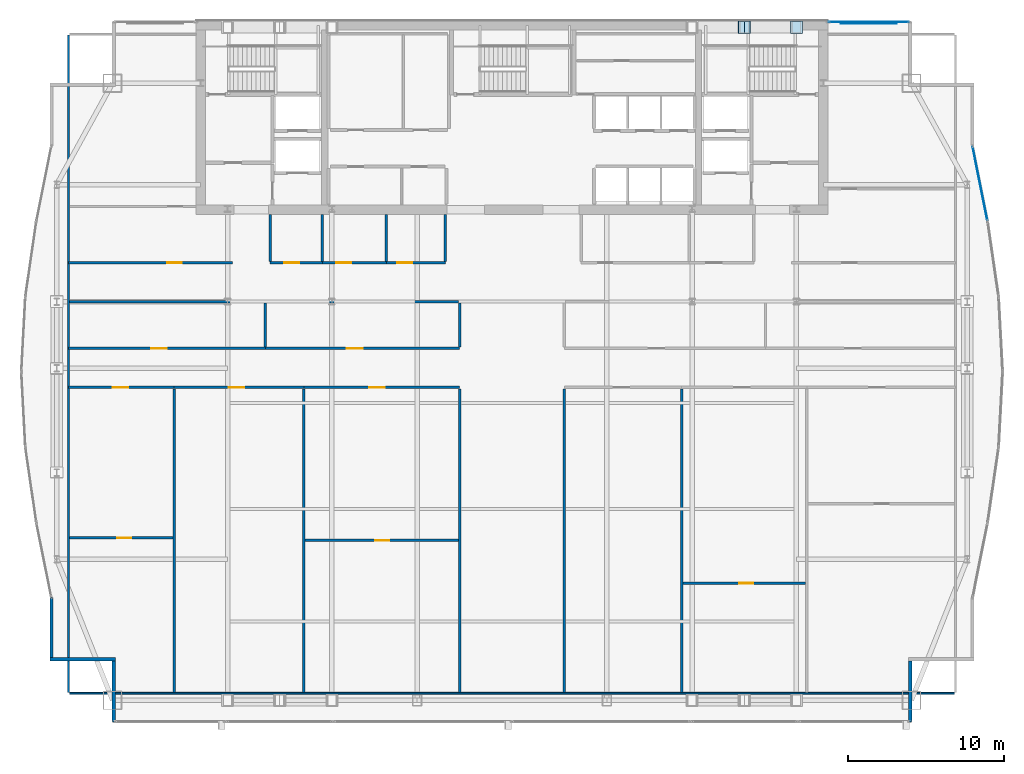
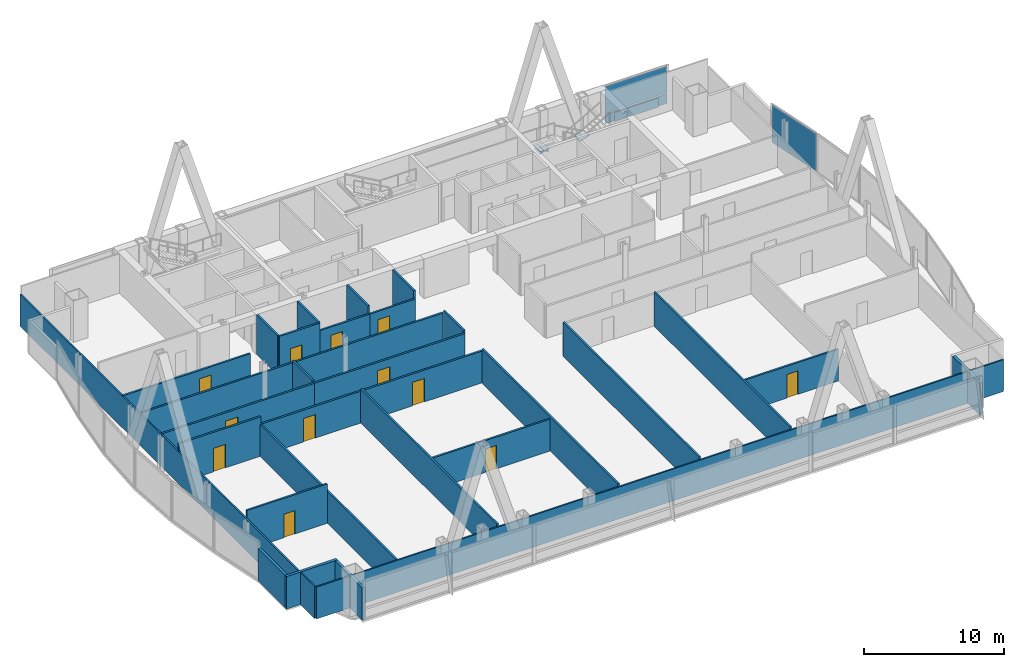
# One storey, part 27 of 32: 30 walls, 12 doors, 7 plates, 12 openings, 2 elements without a shape of their own.
"""IFC4 building model written with IfcOpenShell, lengths in metres."""

from ifc_helpers import new_model, si_unit, direction, frame, frame_2d, origin, origin_2d, place, context, subcontext, project, spatial, polyline, rectangle, outline, extrude, material, layer, layer_set, type_object, element, fill, aggregate, save


model = new_model("IFC4")

# Units and contexts
model_context = context("Model", 3, precision=1e-05, world=origin(), true_north=direction((0.0, 1.0)))
body_context = subcontext(model_context, "Body", "Model", "MODEL_VIEW")
ifc_project = project(units=[si_unit("LENGTHUNIT", "METRE"), si_unit("AREAUNIT", "SQUARE_METRE"), si_unit("VOLUMEUNIT", "CUBIC_METRE"), si_unit("PLANEANGLEUNIT", "RADIAN"), si_unit("MASSUNIT", "GRAM", prefix="KILO")], contexts=[model_context])

# Site, building, storey
site_placement = place(None, origin())
site = spatial("IfcSite", under=ifc_project, at=site_placement, CompositionType="ELEMENT")
building_placement = place(site_placement, origin())
building = spatial("IfcBuilding", under=site, at=building_placement, Name="Khoronbel Lancet Exchange", CompositionType="ELEMENT")
storey_placement = place(building_placement, frame((0.0, 0.0, 221.0)))
storey = spatial("IfcBuildingStorey", under=building, at=storey_placement, Name="L56", CompositionType="ELEMENT", Elevation=221.0)

# Curtain wall, plates
ifc_material_1 = material(Name="Low-E Solar Control Insulating Glass", Category="glass")
curtain_wall_type_1 = type_object("IfcCurtainWallType", Name="CW-3", PredefinedType="NOTDEFINED", material=ifc_material_1)
curtain_wall_1_placement = place(storey_placement, origin())
curtain_wall_1 = element("IfcCurtainWall", 1, at=curtain_wall_1_placement, inside=storey, type_object=curtain_wall_type_1, Name="Unitised curtain wall CW-L56-NEFLK", PredefinedType="NOTDEFINED")
ifc_material_2 = material(Name="Bronze-Anodised Aluminium 6063-T6", Category="aluminium")
ifc_layer_1 = layer(ifc_material_2, 0.050048828125, Name="Bronze-Anodised Aluminium 6063-T6")
ifc_layer_set_1 = layer_set([ifc_layer_1], Name="Bronze-Anodised Aluminium 6063-T6")
plate_type_1 = type_object("IfcPlateType", Name="PLT-CSP1", PredefinedType="SHEET", material=ifc_layer_set_1)
plate_1_placement = place(storey_placement, frame((59.320068359375, 53.550048828125, 0.0498046875), z_axis=(0.0, 0.0, 1.0), x_axis=(-1.0, 0.0, 0.0)))
plate_1 = element("IfcPlate", 2, at=plate_1_placement, type_object=plate_type_1, Name="Insulated bronze spandrel cassette CW-L56-NEFLK", PredefinedType="SHEET", context=body_context, shape_type="SweptSolid", body=[
    extrude(rectangle(XDim=3.60009765625, YDim=0.050048828125, at=origin_2d()), origin(), (0.0, 0.0, 1.0), 0.800048828125),
])
ifc_layer_2 = layer(ifc_material_1, 0.035888671875, Name="Low-E Solar Control Insulating Glass")
ifc_layer_set_2 = layer_set([ifc_layer_2], Name="Low-E Solar Control Insulating Glass")
plate_type_2 = type_object("IfcPlateType", Name="PLT-CWP1", PredefinedType="CURTAIN_PANEL", material=ifc_layer_set_2)
plate_2_placement = place(storey_placement, frame((59.320068359375, 53.610107421875, 0.0849609375), z_axis=(0.0, 0.0, 1.0), x_axis=(-1.0, 0.0, 0.0)))
plate_2 = element("IfcPlate", 3, at=plate_2_placement, type_object=plate_type_2, Name="CW3 panel 1.1", PredefinedType="CURTAIN_PANEL", context=body_context, shape_type="SweptSolid", body=[
    extrude(rectangle(XDim=5.110107421875, YDim=0.0380859375, at=origin_2d()), origin(), (0.0, 0.0, 1.0), 0.822509765625),
])
plate_3_placement = place(storey_placement, frame((59.320068359375, 53.610107421875, 0.99267578125), z_axis=(0.0, 0.0, 1.0), x_axis=(-1.0, 0.0, 0.0)))
plate_3 = element("IfcPlate", 4, at=plate_3_placement, type_object=plate_type_2, Name="CW3 panel 1.2", PredefinedType="CURTAIN_PANEL", context=body_context, shape_type="SweptSolid", body=[
    extrude(rectangle(XDim=5.110107421875, YDim=0.0380859375, at=origin_2d()), origin(), (0.0, 0.0, 1.0), 2.362548828125),
])
aggregate(curtain_wall_1, [plate_2, plate_3, plate_1])

# Curtain wall, plate
curtain_wall_type_2 = type_object("IfcCurtainWallType", Name="CW-4", PredefinedType="NOTDEFINED", material=ifc_material_1)
curtain_wall_2_placement = place(storey_placement, origin())
curtain_wall_2 = element("IfcCurtainWall", 5, at=curtain_wall_2_placement, inside=storey, type_object=curtain_wall_type_2, Name="Unitised curtain wall CW-L56-E17", PredefinedType="NOTDEFINED")
ifc_material_3 = material(Name="Ceramic-Fritted Laminated Insulating Glass", Category="glass")
ifc_layer_3 = layer(ifc_material_3, 0.0419921875, Name="Ceramic-Fritted Laminated Insulating Glass")
ifc_layer_set_3 = layer_set([ifc_layer_3], Name="Ceramic-Fritted Laminated Insulating Glass")
plate_type_3 = type_object("IfcPlateType", Name="PLT-CWP2", PredefinedType="CURTAIN_PANEL", material=ifc_layer_set_3)
plate_4_placement = place(storey_placement, frame((66.443359375, 43.271240234375, 0.0849609375), z_axis=(0.0, 0.0, 1.0), x_axis=(0.19583557156, -0.980636746666, 0.0)))
plate_4 = element("IfcPlate", 6, at=plate_4_placement, type_object=plate_type_3, Name="CW4 panel 1.1", PredefinedType="CURTAIN_PANEL", context=body_context, shape_type="SweptSolid", body=[
    extrude(rectangle(XDim=4.78515625, YDim=0.0380859375, at=origin_2d()), origin(), (0.0, 0.0, 1.0), 3.27001953125),
])
aggregate(curtain_wall_2, [plate_4])

# Plates
ifc_material_4 = material(Name="Steel S460", Category="steel")
ifc_layer_4 = layer(ifc_material_4, 0.044921875, Name="Steel S460")
ifc_layer_set_4 = layer_set([ifc_layer_4], Name="Steel S460")
plate_type_4 = type_object("IfcPlateType", Name="PLT-ECP1", PredefinedType="USERDEFINED", material=ifc_layer_set_4)
for number, where, z_axis, x_axis, name in (
    (7, (51.7294921875, 52.8798828125, -0.086669921875), (0.295372103756, 0.0, 0.955382290145), (0.0, 1.0, 0.0), "Hollow end cap plate PLT-CAP-MEM-MB-T18-N-E-L-1"),
    (8, (50.945556640625, 53.679931640625, -0.086669921875), (-0.295372103756, 0.0, 0.955382290145), (0.0, -1.0, 0.0), "Hollow end cap plate PLT-CAP-MEM-MB-T18-N-E-R-1"),
    (9, (54.289306640625, 53.679931640625, -0.106689453125), (-0.295372103756, 0.0, 0.955382290145), (0.0, -1.0, 0.0), "Hollow end cap plate PLT-CAP-MEM-MB-T19-N-E-R-0"),
):
    element("IfcPlate", number, at=place(storey_placement, frame(where, z_axis=z_axis, x_axis=x_axis)), inside=storey, type_object=plate_type_4, Name=name, ObjectType="STIFFENER_PLATE", PredefinedType="USERDEFINED", context=body_context, shape_type="SweptSolid", body=[
        extrude(outline(polyline([(0.0, 0.0), (0.800048828125, 0.0), (0.800048828125, 0.800048828125), (0.0, 0.800048828125), (0.0, 0.0)])), origin(), (0.0, 0.0, -1.0), 0.044921875),
    ])

# Walls
ifc_material_5 = material(Name="Precast concrete C40/50", Category="concrete")
ifc_layer_5 = layer(ifc_material_5, 0.25, Name="Precast concrete C40/50")
ifc_layer_set_5 = layer_set([ifc_layer_5], Name="Precast concrete C40/50")
wall_type_1 = type_object("IfcWallType", Name="WL-EXT250", PredefinedType="SOLIDWALL", material=ifc_layer_set_5)
wall_1_placement = place(storey_placement, frame((10.93994140625, 8.77001953125, 0.0), z_axis=(0.0, 0.0, 1.0), x_axis=(0.0, 1.0, 0.0)))
element("IfcWall", 10, at=wall_1_placement, inside=storey, type_object=wall_type_1, Name="Level L56 notched-corner limestone pier 01", PredefinedType="SOLIDWALL", context=body_context, shape_type="SweptSolid", body=[
    extrude(rectangle(XDim=3.909912109375, YDim=0.219970703125, at=frame_2d((1.955078125, 0.0))), origin(), (0.0, 0.0, 1.0), 2.830078125),
])
wall_2_placement = place(storey_placement, frame((11.050048828125, 12.7900390625, 0.0), z_axis=(0.0, 0.0, 1.0), x_axis=(-1.0, 0.0, 0.0)))
element("IfcWall", 11, at=wall_2_placement, inside=storey, type_object=wall_type_1, Name="Level L56 notched-corner limestone pier 02", PredefinedType="SOLIDWALL", context=body_context, shape_type="SweptSolid", body=[
    extrude(rectangle(XDim=4.219970703125, YDim=0.219970703125, at=frame_2d((2.10986328125, 0.0))), origin(), (0.0, 0.0, 1.0), 2.830078125),
])
wall_3_placement = place(storey_placement, frame((6.93994140625, 12.89990234375, 0.0), z_axis=(0.0, 0.0, 1.0), x_axis=(0.0, 1.0, 0.0)))
element("IfcWall", 12, at=wall_3_placement, inside=storey, type_object=wall_type_1, Name="Level L56 notched-corner limestone pier 03", PredefinedType="SOLIDWALL", context=body_context, shape_type="SweptSolid", body=[
    extrude(rectangle(XDim=3.8291015625, YDim=0.219970703125, at=frame_2d((1.91455078125, 0.0))), origin(), (0.0, 0.0, 1.0), 2.830078125),
])
wall_4_placement = place(storey_placement, frame((61.9599609375, 12.679931640625, 0.0), z_axis=(0.0, 0.0, 1.0), x_axis=(0.0, -1.0, 0.0)))
element("IfcWall", 13, at=wall_4_placement, inside=storey, type_object=wall_type_1, Name="Level L56 notched-corner limestone pier 25", PredefinedType="SOLIDWALL", context=body_context, shape_type="SweptSolid", body=[
    extrude(rectangle(XDim=3.909912109375, YDim=0.219970703125, at=frame_2d((1.955078125, 0.0))), origin(), (0.0, 0.0, 1.0), 2.830078125),
])
ifc_material_6 = material(Name="Acoustic Metal-Stud & Mineral-Wool Gypsum Partition 120 mm", Category="gypsum")
ifc_layer_6 = layer(ifc_material_6, 0.1201171875, Name="Acoustic Metal-Stud & Mineral-Wool Gypsum Partition 120 mm")
ifc_layer_set_6 = layer_set([ifc_layer_6], Name="Acoustic Metal-Stud & Mineral-Wool Gypsum Partition 120 mm")
wall_type_2 = type_object("IfcWallType", Name="WL-PRT120", PredefinedType="PARTITIONING", material=ifc_layer_set_6)
for number, where, z_axis, x_axis, name in (
    (14, (20.949951171875, 38.280029296875, 0.0), (0.0, 0.0, 1.0), (0.0, 1.0, 0.0), "Level L56 interior partition PW-WC-0"),
    (15, (24.300048828125, 38.280029296875, 0.0), (0.0, 0.0, 1.0), (0.0, 1.0, 0.0), "Level L56 interior partition PW-WC-1"),
    (16, (28.39990234375, 38.280029296875, 0.0), (0.0, 0.0, 1.0), (0.0, 1.0, 0.0), "Level L56 interior partition PW-WC-2"),
    (17, (32.179931640625, 38.280029296875, 0.0), (0.0, 0.0, 1.0), (0.0, 1.0, 0.0), "Level L56 interior partition PW-WC-3"),
):
    element("IfcWall", number, at=place(storey_placement, frame(where, z_axis=z_axis, x_axis=x_axis)), inside=storey, type_object=wall_type_2, Name=name, PredefinedType="PARTITIONING", context=body_context, shape_type="SweptSolid", body=[
        extrude(rectangle(XDim=3.02001953125, YDim=0.14990234375, at=frame_2d((1.510009765625, 0.0))), origin(), (0.0, 0.0, 1.0), 3.43994140625),
    ])

# Wall, opening, door
wall_5_placement = place(storey_placement, frame((8.094970703125, 20.559326171875, 0.0), z_axis=(0.0, 0.0, 1.0), x_axis=(1.0, 0.0, 0.0)))
wall_5 = element("IfcWall", 18, at=wall_5_placement, inside=storey, type_object=wall_type_2, Name="Level L56 interior partition PW-Z3SW-H1", PredefinedType="PARTITIONING", context=body_context, shape_type="SweptSolid", body=[
    extrude(rectangle(XDim=6.622314453125, YDim=0.14990234375, at=frame_2d((3.31103515625, 0.0))), origin(), (0.0, 0.0, 1.0), 3.43994140625),
])
opening_1_placement = place(wall_5_placement, frame((3.045166015625, 0.0, 0.0)))
opening_1 = element("IfcOpeningElement", 19, at=opening_1_placement, cuts=wall_5, Name="Opening D5", PredefinedType="OPENING", context=body_context, shape_type="SweptSolid", body=[
    extrude(rectangle(XDim=0.89990234375, YDim=2.050048828125, at=frame_2d((0.449951171875, 1.02490234375))), frame((0.0, 0.0849609375, 0.0), z_axis=(0.0, -1.0, 0.0), x_axis=(1.0, 0.0, 0.0)), (0.0, 0.0, 1.0), 0.169921875),
])
ifc_material_7 = material(Name="Acoustic Timber Pantry & Support Door", Category="wood")
door_type_1 = type_object("IfcDoorType", Name="DR-D5", OperationType="NOTDEFINED", PredefinedType="DOOR", material=ifc_material_7)
door_1_placement = place(opening_1_placement, origin())
door_1 = element("IfcDoor", 20, at=door_1_placement, inside=storey, type_object=door_type_1, Name="Z3SW inner door 1 L56-1", OperationType="SINGLE_SWING_LEFT", OverallHeight=2.050048828125, OverallWidth=0.89990234375, PredefinedType="DOOR", context=body_context, shape_type="SweptSolid", body=[
    extrude(rectangle(XDim=0.89990234375, YDim=2.050048828125, at=frame_2d((0.449951171875, 1.02490234375))), frame((0.0, 0.02490234375, 0.0), z_axis=(0.0, -1.0, 0.0), x_axis=(1.0, 0.0, 0.0)), (0.0, 0.0, 1.0), 0.050048828125),
])
fill(opening_1, door_1)

wall_6_placement = place(storey_placement, frame((23.185302734375, 20.39990234375, 0.0), z_axis=(0.0, 0.0, 1.0), x_axis=(1.0, 0.0, 0.0)))
wall_6 = element("IfcWall", 21, at=wall_6_placement, inside=storey, type_object=wall_type_2, Name="Level L56 interior partition PW-Z3SW-H3", PredefinedType="PARTITIONING", context=body_context, shape_type="SweptSolid", body=[
    extrude(rectangle(XDim=9.834716796875, YDim=0.14990234375, at=frame_2d((4.91748046875, 0.0))), origin(), (0.0, 0.0, 1.0), 2.780029296875),
])
opening_2_placement = place(wall_6_placement, frame((4.49755859375, 0.0, 0.0)))
opening_2 = element("IfcOpeningElement", 22, at=opening_2_placement, cuts=wall_6, Name="Opening D5", PredefinedType="OPENING", context=body_context, shape_type="SweptSolid", body=[
    extrude(rectangle(XDim=0.89990234375, YDim=2.050048828125, at=frame_2d((0.449951171875, 1.02490234375))), frame((0.0, 0.0849609375, 0.0), z_axis=(0.0, -1.0, 0.0), x_axis=(1.0, 0.0, 0.0)), (0.0, 0.0, 1.0), 0.169921875),
])
door_2_placement = place(opening_2_placement, origin())
door_2 = element("IfcDoor", 23, at=door_2_placement, inside=storey, type_object=door_type_1, Name="Z3SW inner door 3 L56-1", OperationType="SINGLE_SWING_RIGHT", OverallHeight=2.050048828125, OverallWidth=0.89990234375, PredefinedType="DOOR", context=body_context, shape_type="SweptSolid", body=[
    extrude(rectangle(XDim=0.89990234375, YDim=2.050048828125, at=frame_2d((0.449951171875, 1.02490234375))), frame((0.0, 0.02490234375, 0.0), z_axis=(0.0, -1.0, 0.0), x_axis=(1.0, 0.0, 0.0)), (0.0, 0.0, 1.0), 0.050048828125),
])
fill(opening_2, door_2)

wall_7_placement = place(storey_placement, frame((47.40087890625, 17.656005859375, 0.0), z_axis=(0.0, 0.0, 1.0), x_axis=(1.0, 0.0, 0.0)))
wall_7 = element("IfcWall", 24, at=wall_7_placement, inside=storey, type_object=wall_type_2, Name="Level L56 interior partition PW-Z3SE-H2", PredefinedType="PARTITIONING", context=body_context, shape_type="SweptSolid", body=[
    extrude(rectangle(XDim=7.862548828125, YDim=0.14990234375, at=frame_2d((3.93115234375, 0.0))), origin(), (0.0, 0.0, 1.0), 2.780029296875),
])
opening_3_placement = place(wall_7_placement, frame((3.610107421875, 0.0, 0.0)))
opening_3 = element("IfcOpeningElement", 25, at=opening_3_placement, cuts=wall_7, Name="Opening D5", PredefinedType="OPENING", context=body_context, shape_type="SweptSolid", body=[
    extrude(rectangle(XDim=0.89990234375, YDim=2.050048828125, at=frame_2d((0.449951171875, 1.02490234375))), frame((0.0, 0.0849609375, 0.0), z_axis=(0.0, -1.0, 0.0), x_axis=(1.0, 0.0, 0.0)), (0.0, 0.0, 1.0), 0.169921875),
])
door_3_placement = place(opening_3_placement, origin())
door_3 = element("IfcDoor", 26, at=door_3_placement, inside=storey, type_object=door_type_1, Name="Z3SE inner door 2 L56-1", OperationType="SINGLE_SWING_LEFT", OverallHeight=2.050048828125, OverallWidth=0.89990234375, PredefinedType="DOOR", context=body_context, shape_type="SweptSolid", body=[
    extrude(rectangle(XDim=0.89990234375, YDim=2.050048828125, at=frame_2d((0.449951171875, 1.02490234375))), frame((0.0, 0.02490234375, 0.0), z_axis=(0.0, -1.0, 0.0), x_axis=(1.0, 0.0, 0.0)), (0.0, 0.0, 1.0), 0.050048828125),
])
fill(opening_3, door_3)

# Walls
wall_8_placement = place(storey_placement, frame((8.030029296875, 10.6650390625, 0.0), z_axis=(0.0, 0.0, 1.0), x_axis=(0.0, 1.0, 0.0)))
element("IfcWall", 27, at=wall_8_placement, inside=storey, type_object=wall_type_2, Name="Level L56 interior partition PW-LIN-W", PredefinedType="PARTITIONING", context=body_context, shape_type="SweptSolid", body=[
    extrude(rectangle(XDim=42.10986328125, YDim=0.1201171875, at=frame_2d((21.054931640625, 0.0))), origin(), (0.0, 0.0, 1.0), 2.780029296875),
])
wall_9_placement = place(storey_placement, frame((8.094970703125, 10.60009765625, 0.0), z_axis=(0.0, 0.0, 1.0), x_axis=(1.0, 0.0, 0.0)))
element("IfcWall", 28, at=wall_9_placement, inside=storey, type_object=wall_type_2, Name="Level L56 interior partition PW-LIN-S", PredefinedType="PARTITIONING", context=body_context, shape_type="SweptSolid", body=[
    extrude(rectangle(XDim=56.7099609375, YDim=0.1201171875, at=frame_2d((28.35498046875, 0.0))), origin(), (0.0, 0.0, 1.0), 2.780029296875),
])

# Wall, opening, door
ifc_material_8 = material(Name="Fire-Rated Twin-Stud Acoustic Gypsum Partition 150 mm", Category="gypsum")
ifc_layer_7 = layer(ifc_material_8, 0.14990234375, Name="Fire-Rated Twin-Stud Acoustic Gypsum Partition 150 mm")
ifc_layer_set_7 = layer_set([ifc_layer_7], Name="Fire-Rated Twin-Stud Acoustic Gypsum Partition 150 mm")
wall_type_3 = type_object("IfcWallType", Name="WL-PRT150C", PredefinedType="PARTITIONING", material=ifc_layer_set_7)
wall_10_placement = place(storey_placement, frame((20.949951171875, 38.199951171875, 0.0), z_axis=(0.0, 0.0, 1.0), x_axis=(1.0, 0.0, 0.0)))
wall_10 = element("IfcWall", 29, at=wall_10_placement, inside=storey, type_object=wall_type_3, Name="Level L56 interior partition PW-WC-S1", PredefinedType="PARTITIONING", context=body_context, shape_type="SweptSolid", body=[
    extrude(rectangle(XDim=3.35009765625, YDim=0.14990234375, at=frame_2d((1.675048828125, 0.0))), origin(), (0.0, 0.0, 1.0), 3.43994140625),
])
opening_4_placement = place(wall_10_placement, frame((0.89990234375, 0.0, 0.0)))
opening_4 = element("IfcOpeningElement", 30, at=opening_4_placement, cuts=wall_10, Name="Opening D4", PredefinedType="OPENING", context=body_context, shape_type="SweptSolid", body=[
    extrude(rectangle(XDim=0.949951171875, YDim=2.050048828125, at=frame_2d((0.47509765625, 1.02490234375))), frame((0.0, 0.0849609375, 0.0), z_axis=(0.0, -1.0, 0.0), x_axis=(1.0, 0.0, 0.0)), (0.0, 0.0, 1.0), 0.169921875),
])
ifc_material_9 = material(Name="Moisture-Resistant HPL Washroom Door", Category="wood")
door_type_2 = type_object("IfcDoorType", Name="DR-D4", OperationType="NOTDEFINED", PredefinedType="DOOR", material=ifc_material_9)
door_4_placement = place(opening_4_placement, origin())
door_4 = element("IfcDoor", 31, at=door_4_placement, inside=storey, type_object=door_type_2, Name="Male washroom door L56-1", OperationType="SINGLE_SWING_LEFT", OverallHeight=2.050048828125, OverallWidth=0.949951171875, PredefinedType="DOOR", context=body_context, shape_type="SweptSolid", body=[
    extrude(rectangle(XDim=0.949951171875, YDim=2.050048828125, at=frame_2d((0.47509765625, 1.02490234375))), frame((0.0, 0.02490234375, 0.0), z_axis=(0.0, -1.0, 0.0), x_axis=(1.0, 0.0, 0.0)), (0.0, 0.0, 1.0), 0.050048828125),
])
fill(opening_4, door_4)

wall_11_placement = place(storey_placement, frame((24.300048828125, 38.199951171875, 0.0), z_axis=(0.0, 0.0, 1.0), x_axis=(1.0, 0.0, 0.0)))
wall_11 = element("IfcWall", 32, at=wall_11_placement, inside=storey, type_object=wall_type_3, Name="Level L56 interior partition PW-WC-S2", PredefinedType="PARTITIONING", context=body_context, shape_type="SweptSolid", body=[
    extrude(rectangle(XDim=4.099853515625, YDim=0.14990234375, at=frame_2d((2.0498046875, 0.0))), origin(), (0.0, 0.0, 1.0), 2.780029296875),
])
opening_5_placement = place(wall_11_placement, frame((0.89990234375, 0.0, 0.0)))
opening_5 = element("IfcOpeningElement", 33, at=opening_5_placement, cuts=wall_11, Name="Opening D4", PredefinedType="OPENING", context=body_context, shape_type="SweptSolid", body=[
    extrude(rectangle(XDim=0.949951171875, YDim=2.050048828125, at=frame_2d((0.47509765625, 1.02490234375))), frame((0.0, 0.0849609375, 0.0), z_axis=(0.0, -1.0, 0.0), x_axis=(1.0, 0.0, 0.0)), (0.0, 0.0, 1.0), 0.169921875),
])
door_5_placement = place(opening_5_placement, origin())
door_5 = element("IfcDoor", 34, at=door_5_placement, inside=storey, type_object=door_type_2, Name="Female washroom door L56-1", OperationType="SINGLE_SWING_RIGHT", OverallHeight=2.050048828125, OverallWidth=0.949951171875, PredefinedType="DOOR", context=body_context, shape_type="SweptSolid", body=[
    extrude(rectangle(XDim=0.949951171875, YDim=2.050048828125, at=frame_2d((0.47509765625, 1.02490234375))), frame((0.0, 0.02490234375, 0.0), z_axis=(0.0, -1.0, 0.0), x_axis=(1.0, 0.0, 0.0)), (0.0, 0.0, 1.0), 0.050048828125),
])
fill(opening_5, door_5)

wall_12_placement = place(storey_placement, frame((28.39990234375, 38.199951171875, 0.0), z_axis=(0.0, 0.0, 1.0), x_axis=(1.0, 0.0, 0.0)))
wall_12 = element("IfcWall", 35, at=wall_12_placement, inside=storey, type_object=wall_type_3, Name="Level L56 interior partition PW-WC-S3", PredefinedType="PARTITIONING", context=body_context, shape_type="SweptSolid", body=[
    extrude(rectangle(XDim=3.780029296875, YDim=0.14990234375, at=frame_2d((1.89013671875, 0.0))), origin(), (0.0, 0.0, 1.0), 2.780029296875),
])
opening_6_placement = place(wall_12_placement, frame((0.699951171875, 0.0, 0.0)))
opening_6 = element("IfcOpeningElement", 36, at=opening_6_placement, cuts=wall_12, Name="Opening D4", PredefinedType="OPENING", context=body_context, shape_type="SweptSolid", body=[
    extrude(rectangle(XDim=0.949951171875, YDim=2.050048828125, at=frame_2d((0.47509765625, 1.02490234375))), frame((0.0, 0.0849609375, 0.0), z_axis=(0.0, -1.0, 0.0), x_axis=(1.0, 0.0, 0.0)), (0.0, 0.0, 1.0), 0.169921875),
])
door_6_placement = place(opening_6_placement, origin())
door_6 = element("IfcDoor", 37, at=door_6_placement, inside=storey, type_object=door_type_2, Name="Accessible WC door L56-1", OperationType="SINGLE_SWING_LEFT", OverallHeight=2.050048828125, OverallWidth=0.949951171875, PredefinedType="DOOR", context=body_context, shape_type="SweptSolid", body=[
    extrude(rectangle(XDim=0.949951171875, YDim=2.050048828125, at=frame_2d((0.47509765625, 1.02490234375))), frame((0.0, 0.02490234375, 0.0), z_axis=(0.0, -1.0, 0.0), x_axis=(1.0, 0.0, 0.0)), (0.0, 0.0, 1.0), 0.050048828125),
])
fill(opening_6, door_6)

wall_13_placement = place(storey_placement, frame((8.030029296875, 38.199951171875, 0.0), z_axis=(0.0, 0.0, 1.0), x_axis=(1.0, 0.0, 0.0)))
wall_13 = element("IfcWall", 38, at=wall_13_placement, inside=storey, type_object=wall_type_3, Name="Level L56 interior partition PW-NW-S", PredefinedType="PARTITIONING", context=body_context, shape_type="SweptSolid", body=[
    extrude(rectangle(XDim=10.52001953125, YDim=0.14990234375, at=frame_2d((5.260009765625, 0.0))), origin(), (0.0, 0.0, 1.0), 2.780029296875),
])
opening_7_placement = place(wall_13_placement, frame((6.320068359375, 0.0, 0.0)))
opening_7 = element("IfcOpeningElement", 39, at=opening_7_placement, cuts=wall_13, Name="Opening D1", PredefinedType="OPENING", context=body_context, shape_type="SweptSolid", body=[
    extrude(rectangle(XDim=0.949951171875, YDim=2.050048828125, at=frame_2d((0.47509765625, 1.02490234375))), frame((0.0, 0.0849609375, 0.0), z_axis=(0.0, -1.0, 0.0), x_axis=(1.0, 0.0, 0.0)), (0.0, 0.0, 1.0), 0.169921875),
])
ifc_material_10 = material(Name="Acoustic Veneered Timber & Bronze Frame Door", Category="wood")
door_type_3 = type_object("IfcDoorType", Name="DR-D1", OperationType="NOTDEFINED", PredefinedType="DOOR", material=ifc_material_10)
door_7_placement = place(opening_7_placement, origin())
door_7 = element("IfcDoor", 40, at=door_7_placement, inside=storey, type_object=door_type_3, Name="NW corner room door L56-1", OperationType="SINGLE_SWING_RIGHT", OverallHeight=2.050048828125, OverallWidth=0.949951171875, PredefinedType="DOOR", context=body_context, shape_type="SweptSolid", body=[
    extrude(rectangle(XDim=0.949951171875, YDim=2.050048828125, at=frame_2d((0.47509765625, 1.02490234375))), frame((0.0, 0.02490234375, 0.0), z_axis=(0.0, -1.0, 0.0), x_axis=(1.0, 0.0, 0.0)), (0.0, 0.0, 1.0), 0.050048828125),
])
fill(opening_7, door_7)

# Walls
for number, where, z_axis, x_axis, name in (
    (41, (33.10009765625, 10.6650390625, 0.0), (0.0, 0.0, 1.0), (0.0, 1.0, 0.0), "Level L56 interior partition PW-Z3-CW1"),
    (42, (39.800048828125, 10.6650390625, 0.0), (0.0, 0.0, 1.0), (0.0, 1.0, 0.0), "Level L56 interior partition PW-Z3-CE1"),
):
    element("IfcWall", number, at=place(storey_placement, frame(where, z_axis=z_axis, x_axis=x_axis)), inside=storey, type_object=wall_type_3, Name=name, PredefinedType="PARTITIONING", context=body_context, shape_type="SweptSolid", body=[
        extrude(rectangle(XDim=19.449951171875, YDim=0.14990234375, at=frame_2d((9.72509765625, 0.0))), origin(), (0.0, 0.0, 1.0), 2.97998046875),
    ])
wall_14_placement = place(storey_placement, frame((33.10009765625, 32.784912109375, 0.0), z_axis=(0.0, 0.0, 1.0), x_axis=(0.0, 1.0, 0.0)))
element("IfcWall", 43, at=wall_14_placement, inside=storey, type_object=wall_type_3, Name="Level L56 interior partition PW-Z3-CW2", PredefinedType="PARTITIONING", context=body_context, shape_type="SweptSolid", body=[
    extrude(rectangle(XDim=2.835205078125, YDim=0.14990234375, at=frame_2d((1.41748046875, 0.0))), origin(), (0.0, 0.0, 1.0), 2.97998046875),
])
wall_15_placement = place(storey_placement, frame((8.094970703125, 35.699951171875, 0.0), z_axis=(0.0, 0.0, 1.0), x_axis=(1.0, 0.0, 0.0)))
element("IfcWall", 44, at=wall_15_placement, inside=storey, type_object=wall_type_3, Name="Level L56 interior partition PW-Z3-WN", PredefinedType="PARTITIONING", context=body_context, shape_type="SweptSolid", body=[
    extrude(rectangle(XDim=24.925048828125, YDim=0.14990234375, at=frame_2d((12.46240234375, 0.0))), origin(), (0.0, 0.0, 1.0), 2.780029296875),
])
wall_16_placement = place(storey_placement, frame((14.797119140625, 10.6650390625, 0.0), z_axis=(0.0, 0.0, 1.0), x_axis=(0.0, 1.0, 0.0)))
element("IfcWall", 45, at=wall_16_placement, inside=storey, type_object=wall_type_3, Name="Level L56 interior partition PW-Z3SW-V1", PredefinedType="PARTITIONING", context=body_context, shape_type="SweptSolid", body=[
    extrude(rectangle(XDim=19.449951171875, YDim=0.14990234375, at=frame_2d((9.72509765625, 0.0))), origin(), (0.0, 0.0, 1.0), 2.780029296875),
])
for number, where, z_axis, x_axis, name in (
    (46, (23.105224609375, 10.6650390625, 0.0), (0.0, 0.0, 1.0), (0.0, 1.0, 0.0), "Level L56 interior partition PW-Z3SW-V2"),
    (47, (47.321044921875, 10.6650390625, 0.0), (0.0, 0.0, 1.0), (0.0, 1.0, 0.0), "Level L56 interior partition PW-Z3SE-V1"),
):
    element("IfcWall", number, at=place(storey_placement, frame(where, z_axis=z_axis, x_axis=x_axis)), inside=storey, type_object=wall_type_3, Name=name, PredefinedType="PARTITIONING", context=body_context, shape_type="SweptSolid", body=[
        extrude(rectangle(XDim=19.449951171875, YDim=0.14990234375, at=frame_2d((9.72509765625, 0.0))), origin(), (0.0, 0.0, 1.0), 2.97998046875),
    ])
wall_17_placement = place(storey_placement, frame((20.640625, 32.784912109375, 0.0), z_axis=(0.0, 0.0, 1.0), x_axis=(0.0, 1.0, 0.0)))
element("IfcWall", 48, at=wall_17_placement, inside=storey, type_object=wall_type_3, Name="Level L56 interior partition PW-Z3NW-V1", PredefinedType="PARTITIONING", context=body_context, shape_type="SweptSolid", body=[
    extrude(rectangle(XDim=2.835205078125, YDim=0.14990234375, at=frame_2d((1.41748046875, 0.0))), origin(), (0.0, 0.0, 1.0), 2.97998046875),
])

# Wall, opening, door
ifc_material_11 = material(Name="Fire-Rated Twin-Stud Acoustic Gypsum Partition 160 mm", Category="gypsum")
ifc_layer_8 = layer(ifc_material_11, 0.159912109375, Name="Fire-Rated Twin-Stud Acoustic Gypsum Partition 160 mm")
ifc_layer_set_8 = layer_set([ifc_layer_8], Name="Fire-Rated Twin-Stud Acoustic Gypsum Partition 160 mm")
wall_type_4 = type_object("IfcWallType", Name="WL-PRT160C", PredefinedType="PARTITIONING", material=ifc_layer_set_8)
wall_18_placement = place(storey_placement, frame((8.030029296875, 30.199951171875, 0.0), z_axis=(0.0, 0.0, 1.0), x_axis=(1.0, 0.0, 0.0)))
wall_18 = element("IfcWall", 49, at=wall_18_placement, inside=storey, type_object=wall_type_4, Name="Level L56 interior partition PW-Z3SW-COR1", PredefinedType="PARTITIONING", context=body_context, shape_type="SweptSolid", body=[
    extrude(rectangle(XDim=6.76708984375, YDim=0.159912109375, at=frame_2d((3.383544921875, 0.0))), origin(), (0.0, 0.0, 1.0), 3.43994140625),
])
opening_8_placement = place(wall_18_placement, frame((2.84228515625, 0.0, 0.0)))
opening_8 = element("IfcOpeningElement", 50, at=opening_8_placement, cuts=wall_18, Name="Opening D2", PredefinedType="OPENING", context=body_context, shape_type="SweptSolid", body=[
    extrude(rectangle(XDim=1.0, YDim=2.050048828125, at=frame_2d((0.5, 1.02490234375))), frame((0.0, 0.08984375, 0.0), z_axis=(0.0, -1.0, 0.0), x_axis=(1.0, 0.0, 0.0)), (0.0, 0.0, 1.0), 0.179931640625),
])
door_type_4 = type_object("IfcDoorType", Name="DR-D2", OperationType="NOTDEFINED", PredefinedType="DOOR", material=ifc_material_10)
door_8_placement = place(opening_8_placement, origin())
door_8 = element("IfcDoor", 51, at=door_8_placement, inside=storey, type_object=door_type_4, Name="Z3SW bay 1 door L56-1", OperationType="SINGLE_SWING_RIGHT", OverallHeight=2.050048828125, OverallWidth=1.0, PredefinedType="DOOR", context=body_context, shape_type="SweptSolid", body=[
    extrude(rectangle(XDim=1.0, YDim=2.050048828125, at=frame_2d((0.5, 1.02490234375))), frame((0.0, 0.02490234375, 0.0), z_axis=(0.0, -1.0, 0.0), x_axis=(1.0, 0.0, 0.0)), (0.0, 0.0, 1.0), 0.050048828125),
])
fill(opening_8, door_8)

wall_19_placement = place(storey_placement, frame((14.797119140625, 30.199951171875, 0.0), z_axis=(0.0, 0.0, 1.0), x_axis=(1.0, 0.0, 0.0)))
wall_19 = element("IfcWall", 52, at=wall_19_placement, inside=storey, type_object=wall_type_4, Name="Level L56 interior partition PW-Z3SW-COR2", PredefinedType="PARTITIONING", context=body_context, shape_type="SweptSolid", body=[
    extrude(rectangle(XDim=8.30810546875, YDim=0.159912109375, at=frame_2d((4.154052734375, 0.0))), origin(), (0.0, 0.0, 1.0), 2.780029296875),
])
opening_9_placement = place(wall_19_placement, frame((3.489501953125, 0.0, 0.0)))
opening_9 = element("IfcOpeningElement", 53, at=opening_9_placement, cuts=wall_19, Name="Opening D2", PredefinedType="OPENING", context=body_context, shape_type="SweptSolid", body=[
    extrude(rectangle(XDim=1.0, YDim=2.050048828125, at=frame_2d((0.5, 1.02490234375))), frame((0.0, 0.08984375, 0.0), z_axis=(0.0, -1.0, 0.0), x_axis=(1.0, 0.0, 0.0)), (0.0, 0.0, 1.0), 0.179931640625),
])
door_9_placement = place(opening_9_placement, origin())
door_9 = element("IfcDoor", 54, at=door_9_placement, inside=storey, type_object=door_type_4, Name="Z3SW bay 2 door L56-1", OperationType="SINGLE_SWING_RIGHT", OverallHeight=2.050048828125, OverallWidth=1.0, PredefinedType="DOOR", context=body_context, shape_type="SweptSolid", body=[
    extrude(rectangle(XDim=1.0, YDim=2.050048828125, at=frame_2d((0.5, 1.02490234375))), frame((0.0, 0.02490234375, 0.0), z_axis=(0.0, -1.0, 0.0), x_axis=(1.0, 0.0, 0.0)), (0.0, 0.0, 1.0), 0.050048828125),
])
fill(opening_9, door_9)

wall_20_placement = place(storey_placement, frame((23.105224609375, 30.199951171875, 0.0), z_axis=(0.0, 0.0, 1.0), x_axis=(1.0, 0.0, 0.0)))
wall_20 = element("IfcWall", 55, at=wall_20_placement, inside=storey, type_object=wall_type_4, Name="Level L56 interior partition PW-Z3SW-COR3", PredefinedType="PARTITIONING", context=body_context, shape_type="SweptSolid", body=[
    extrude(rectangle(XDim=9.994873046875, YDim=0.159912109375, at=frame_2d((4.99755859375, 0.0))), origin(), (0.0, 0.0, 1.0), 2.780029296875),
])
opening_10_placement = place(wall_20_placement, frame((4.19775390625, 0.0, 0.0)))
opening_10 = element("IfcOpeningElement", 56, at=opening_10_placement, cuts=wall_20, Name="Opening D2", PredefinedType="OPENING", context=body_context, shape_type="SweptSolid", body=[
    extrude(rectangle(XDim=1.0, YDim=2.050048828125, at=frame_2d((0.5, 1.02490234375))), frame((0.0, 0.08984375, 0.0), z_axis=(0.0, -1.0, 0.0), x_axis=(1.0, 0.0, 0.0)), (0.0, 0.0, 1.0), 0.179931640625),
])
door_10_placement = place(opening_10_placement, origin())
door_10 = element("IfcDoor", 57, at=door_10_placement, inside=storey, type_object=door_type_4, Name="Z3SW bay 3 door L56-1", OperationType="SINGLE_SWING_LEFT", OverallHeight=2.050048828125, OverallWidth=1.0, PredefinedType="DOOR", context=body_context, shape_type="SweptSolid", body=[
    extrude(rectangle(XDim=1.0, YDim=2.050048828125, at=frame_2d((0.5, 1.02490234375))), frame((0.0, 0.02490234375, 0.0), z_axis=(0.0, -1.0, 0.0), x_axis=(1.0, 0.0, 0.0)), (0.0, 0.0, 1.0), 0.050048828125),
])
fill(opening_10, door_10)

wall_21_placement = place(storey_placement, frame((8.030029296875, 32.699951171875, 0.0), z_axis=(0.0, 0.0, 1.0), x_axis=(1.0, 0.0, 0.0)))
wall_21 = element("IfcWall", 58, at=wall_21_placement, inside=storey, type_object=wall_type_4, Name="Level L56 interior partition PW-Z3NW-COR1", PredefinedType="PARTITIONING", context=body_context, shape_type="SweptSolid", body=[
    extrude(rectangle(XDim=12.610595703125, YDim=0.159912109375, at=frame_2d((6.30517578125, 0.0))), origin(), (0.0, 0.0, 1.0), 2.780029296875),
])
opening_11_placement = place(wall_21_placement, frame((5.29638671875, 0.0, 0.0)))
opening_11 = element("IfcOpeningElement", 59, at=opening_11_placement, cuts=wall_21, Name="Opening D2", PredefinedType="OPENING", context=body_context, shape_type="SweptSolid", body=[
    extrude(rectangle(XDim=1.0, YDim=2.050048828125, at=frame_2d((0.5, 1.02490234375))), frame((0.0, 0.08984375, 0.0), z_axis=(0.0, -1.0, 0.0), x_axis=(1.0, 0.0, 0.0)), (0.0, 0.0, 1.0), 0.179931640625),
])
door_11_placement = place(opening_11_placement, origin())
door_11 = element("IfcDoor", 60, at=door_11_placement, inside=storey, type_object=door_type_4, Name="Z3NW bay 1 door L56-1", OperationType="SINGLE_SWING_RIGHT", OverallHeight=2.050048828125, OverallWidth=1.0, PredefinedType="DOOR", context=body_context, shape_type="SweptSolid", body=[
    extrude(rectangle(XDim=1.0, YDim=2.050048828125, at=frame_2d((0.5, 1.02490234375))), frame((0.0, 0.02490234375, 0.0), z_axis=(0.0, -1.0, 0.0), x_axis=(1.0, 0.0, 0.0)), (0.0, 0.0, 1.0), 0.050048828125),
])
fill(opening_11, door_11)

wall_22_placement = place(storey_placement, frame((20.640625, 32.699951171875, 0.0), z_axis=(0.0, 0.0, 1.0), x_axis=(1.0, 0.0, 0.0)))
wall_22 = element("IfcWall", 61, at=wall_22_placement, inside=storey, type_object=wall_type_4, Name="Level L56 interior partition PW-Z3NW-COR2", PredefinedType="PARTITIONING", context=body_context, shape_type="SweptSolid", body=[
    extrude(rectangle(XDim=12.45947265625, YDim=0.159912109375, at=frame_2d((6.229736328125, 0.0))), origin(), (0.0, 0.0, 1.0), 2.780029296875),
])
opening_12_placement = place(wall_22_placement, frame((5.23291015625, 0.0, 0.0)))
opening_12 = element("IfcOpeningElement", 62, at=opening_12_placement, cuts=wall_22, Name="Opening D2", PredefinedType="OPENING", context=body_context, shape_type="SweptSolid", body=[
    extrude(rectangle(XDim=1.0, YDim=2.050048828125, at=frame_2d((0.5, 1.02490234375))), frame((0.0, 0.08984375, 0.0), z_axis=(0.0, -1.0, 0.0), x_axis=(1.0, 0.0, 0.0)), (0.0, 0.0, 1.0), 0.179931640625),
])
door_12_placement = place(opening_12_placement, origin())
door_12 = element("IfcDoor", 63, at=door_12_placement, inside=storey, type_object=door_type_4, Name="Z3NW bay 2 door L56-1", OperationType="SINGLE_SWING_LEFT", OverallHeight=2.050048828125, OverallWidth=1.0, PredefinedType="DOOR", context=body_context, shape_type="SweptSolid", body=[
    extrude(rectangle(XDim=1.0, YDim=2.050048828125, at=frame_2d((0.5, 1.02490234375))), frame((0.0, 0.02490234375, 0.0), z_axis=(0.0, -1.0, 0.0), x_axis=(1.0, 0.0, 0.0)), (0.0, 0.0, 1.0), 0.050048828125),
])
fill(opening_12, door_12)

save(model, "model.ifc")
